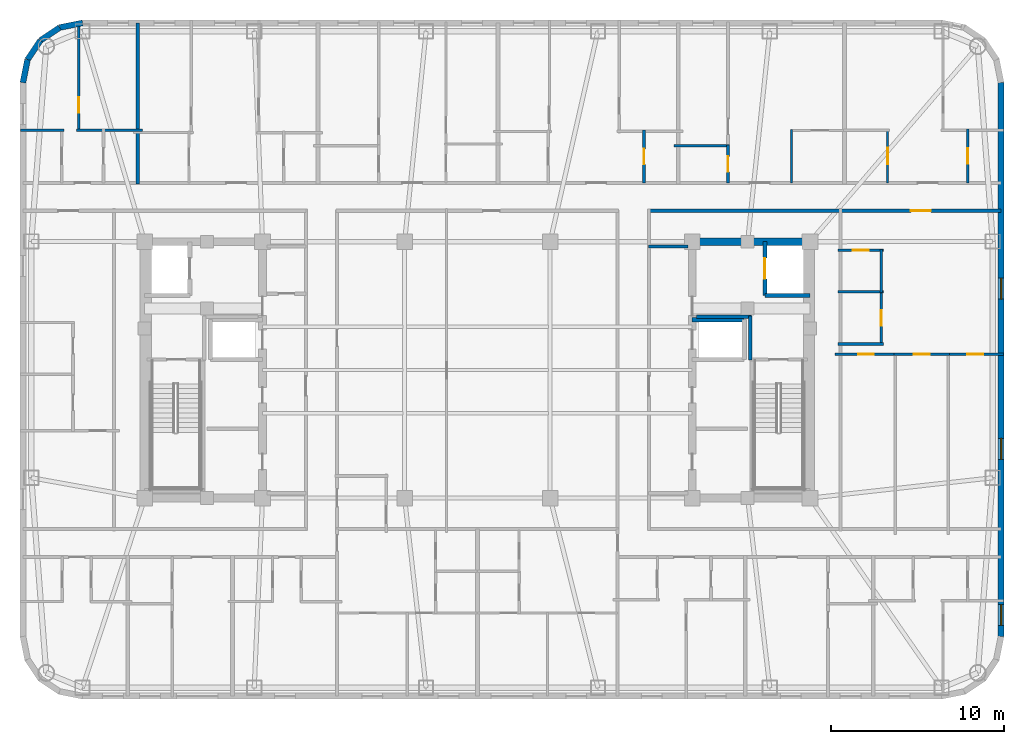
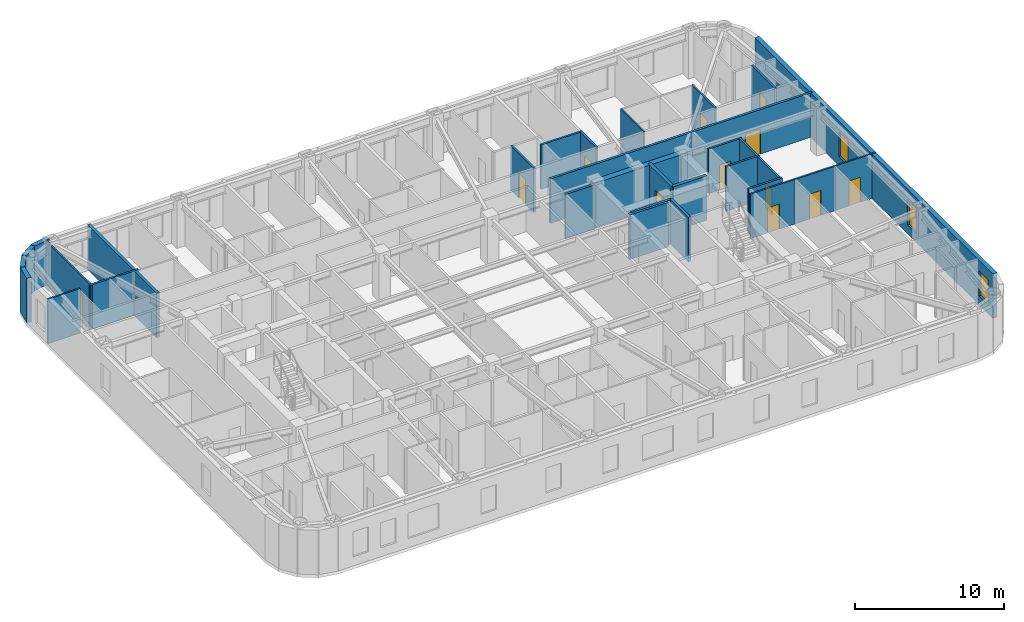
# One storey, part 7 of 11: 31 walls, 12 doors, 3 windows, 15 openings.
"""IFC4 building model written with IfcOpenShell, lengths in metres."""

from ifc_helpers import new_model, si_unit, direction, frame, frame_2d, origin, place, context, subcontext, project, spatial, rectangle, extrude, material, layer, layer_set, type_object, element, fill, save


model = new_model("IFC4")

# Units and contexts
model_context = context("Model", 3, precision=1e-05, world=origin(), true_north=direction((0.0, 1.0)))
body_context = subcontext(model_context, "Body", "Model", "MODEL_VIEW")
ifc_project = project(units=[si_unit("LENGTHUNIT", "METRE"), si_unit("AREAUNIT", "SQUARE_METRE"), si_unit("VOLUMEUNIT", "CUBIC_METRE"), si_unit("PLANEANGLEUNIT", "RADIAN"), si_unit("MASSUNIT", "GRAM", prefix="KILO")], contexts=[model_context])

# Site, building, storey
site_placement = place(None, origin())
site = spatial("IfcSite", under=ifc_project, at=site_placement, CompositionType="ELEMENT")
building_placement = place(site_placement, origin())
building = spatial("IfcBuilding", under=site, at=building_placement, Name="Voryun Gate Residences", CompositionType="ELEMENT")
storey_placement = place(building_placement, frame((0.0, 0.0, 215.800048828125)))
storey = spatial("IfcBuildingStorey", under=building, at=storey_placement, Name="L53", CompositionType="ELEMENT", Elevation=215.800048828125)

# Walls
ifc_material_1 = material(Name="Concrete C50/60", Category="concrete")
ifc_layer_1 = layer(ifc_material_1, 0.449951171875, Name="CW_CORE_450")
ifc_layer_set_1 = layer_set([ifc_layer_1], Name="Concrete C50/60")
wall_type_1 = type_object("IfcWallType", Name="CW_CORE_450", PredefinedType="SHEAR", material=ifc_layer_set_1)
wall_1_placement = place(storey_placement, frame((12.175048828125, 7.39990234375, 0.0), z_axis=(0.0, 0.0, 1.0), x_axis=(1.0, 0.0, 0.0)))
element("IfcWall", 1, at=wall_1_placement, inside=storey, type_object=wall_type_1, Name="L53 Core shear wall CW-L53-EN", PredefinedType="SHEAR", context=body_context, shape_type="SweptSolid", body=[
    extrude(rectangle(XDim=7.25, YDim=0.449951171875, at=frame_2d((3.625, 0.0))), origin(), (0.0, 0.0, 1.0), 3.64990234375),
])
ifc_material_2 = material(Name="Gypsum acoustic fireboard")
ifc_layer_2 = layer(ifc_material_2, 0.179931640625, Name="W_CORR_RATED_180")
ifc_layer_set_2 = layer_set([ifc_layer_2], Name="Gypsum acoustic fireboard")
wall_type_2 = type_object("IfcWallType", Name="W_CORR_RATED_180", PredefinedType="PARTITIONING", material=ifc_layer_set_2)
wall_2_placement = place(storey_placement, frame((9.8798828125, 7.1201171875, 0.0), z_axis=(0.0, 0.0, 1.0), x_axis=(1.0, 0.0, 0.0)))
element("IfcWall", 2, at=wall_2_placement, inside=storey, type_object=wall_type_2, Name="Partition wall WP-L53-PLBN-E", PredefinedType="PARTITIONING", context=body_context, shape_type="SweptSolid", body=[
    extrude(rectangle(XDim=2.27001953125, YDim=0.179931640625, at=frame_2d((1.135009765625, 0.0))), origin(), (0.0, 0.0, 1.0), 3.64990234375),
])

# Wall, opening, door
wall_3_placement = place(storey_placement, frame((9.8798828125, 9.18994140625, 0.0), z_axis=(0.0, 0.0, 1.0), x_axis=(1.0, 0.0, 0.0)))
wall_3 = element("IfcWall", 3, at=wall_3_placement, inside=storey, type_object=wall_type_2, Name="Partition wall WP-L53-CWING-EN", PredefinedType="PARTITIONING", context=body_context, shape_type="SweptSolid", body=[
    extrude(rectangle(XDim=20.35009765625, YDim=0.179931640625, at=frame_2d((10.175048828125, 0.0))), origin(), (0.0, 0.0, 1.0), 3.64990234375),
])
opening_1_placement = place(wall_3_placement, frame((15.1494140625, 0.0, 0.0)))
opening_1 = element("IfcOpeningElement", 4, at=opening_1_placement, cuts=wall_3, Name="Opening D-UNIT-1", PredefinedType="OPENING", context=body_context, shape_type="SweptSolid", body=[
    extrude(rectangle(XDim=1.14990234375, YDim=2.050048828125, at=frame_2d((0.574951171875, 1.02490234375))), frame((0.0, 0.099853515625, 0.0), z_axis=(0.0, -1.0, 0.0), x_axis=(1.0, 0.0, 0.0)), (0.0, 0.0, 1.0), 0.199951171875),
])
ifc_material_3 = material(Name="Armoured timber-clad fire door", Category="wood")
door_type_1 = type_object("IfcDoorType", Name="DR_UNIT_ENTRY_1150", OperationType="NOTDEFINED", PredefinedType="DOOR", material=ifc_material_3)
door_1_placement = place(opening_1_placement, origin())
door_1 = element("IfcDoor", 5, at=door_1_placement, inside=storey, type_object=door_type_1, Name="Door DR-L53-EE1N", OperationType="SINGLE_SWING_LEFT", OverallHeight=2.050048828125, OverallWidth=1.14990234375, PredefinedType="DOOR", context=body_context, shape_type="SweptSolid", body=[
    extrude(rectangle(XDim=1.14990234375, YDim=2.050048828125, at=frame_2d((0.574951171875, 1.02490234375))), frame((0.0, 0.02490234375, 0.0), z_axis=(0.0, -1.0, 0.0), x_axis=(1.0, 0.0, 0.0)), (0.0, 0.0, 1.0), 0.050048828125),
])
fill(opening_1, door_1)

# Walls
ifc_material_4 = material(Name="Charcoal terracotta masonry", Category="masonry")
ifc_layer_3 = layer(ifc_material_4, 0.340087890625, Name="W_EXT_TERRACOTTA_340")
ifc_layer_set_3 = layer_set([ifc_layer_3], Name="Charcoal terracotta masonry")
wall_type_3 = type_object("IfcWallType", Name="W_EXT_TERRACOTTA_340", PredefinedType="ELEMENTEDWALL", material=ifc_layer_set_3)
wall_4_placement = place(storey_placement, frame((-26.22998046875, 16.583251953125, 0.0), z_axis=(0.0, 0.0, 1.0), x_axis=(0.195075878998, 0.980788153188, 0.0)))
element("IfcWall", 6, at=wall_4_placement, inside=storey, type_object=wall_type_3, Name="Exterior wall WEXT-L53-07", PredefinedType="ELEMENTEDWALL", context=body_context, shape_type="SweptSolid", body=[
    extrude(rectangle(XDim=1.354248046875, YDim=0.340087890625, at=frame_2d((0.67724609375, 0.0))), origin(), (0.0, 0.0, 1.0), 3.64990234375),
])
for number, where, z_axis, x_axis, name in (
    (7, (-25.9658203125, 17.911376953125, 0.0), (0.0, 0.0, 1.0), (0.555669034571, 0.831403586725, 0.0), "Exterior wall WEXT-L53-08"),
    (8, (-25.222900390625, 19.02294921875, 0.0), (0.0, 0.0, 1.0), (0.831403586725, 0.555669034571, 0.0), "Exterior wall WEXT-L53-09"),
):
    element("IfcWall", number, at=place(storey_placement, frame(where, z_axis=z_axis, x_axis=x_axis)), inside=storey, type_object=wall_type_3, Name=name, PredefinedType="ELEMENTEDWALL", context=body_context, shape_type="SweptSolid", body=[
        extrude(rectangle(XDim=1.3369140625, YDim=0.340087890625, at=frame_2d((0.66845703125, 0.0))), origin(), (0.0, 0.0, 1.0), 3.64990234375),
    ])
wall_5_placement = place(storey_placement, frame((-24.111328125, 19.765869140625, 0.0), z_axis=(0.0, 0.0, 1.0), x_axis=(0.980788153188, 0.195075878998, 0.0)))
element("IfcWall", 9, at=wall_5_placement, inside=storey, type_object=wall_type_3, Name="Exterior wall WEXT-L53-10", PredefinedType="ELEMENTEDWALL", context=body_context, shape_type="SweptSolid", body=[
    extrude(rectangle(XDim=1.354248046875, YDim=0.340087890625, at=frame_2d((0.67724609375, 0.0))), origin(), (0.0, 0.0, 1.0), 3.64990234375),
])

# Wall, openings, windows
wall_6_placement = place(storey_placement, frame((30.22998046875, 16.583251953125, 0.0), z_axis=(0.0, 0.0, 1.0), x_axis=(0.0, -1.0, 0.0)))
wall_6 = element("IfcWall", 10, at=wall_6_placement, inside=storey, type_object=wall_type_3, Name="Exterior wall WEXT-L53-16", PredefinedType="ELEMENTEDWALL", context=body_context, shape_type="SweptSolid", body=[
    extrude(rectangle(XDim=31.966552734375, YDim=0.340087890625, at=frame_2d((15.9833984375, 0.0))), origin(), (0.0, 0.0, 1.0), 3.64990234375),
])
opening_2_placement = place(wall_6_placement, frame((30.13232421875, 0.0, 0.75)))
opening_2 = element("IfcOpeningElement", 11, at=opening_2_placement, cuts=wall_6, Name="Opening WN6", PredefinedType="OPENING", context=body_context, shape_type="SweptSolid", body=[
    extrude(rectangle(XDim=1.199951171875, YDim=2.050048828125, at=frame_2d((0.60009765625, 1.02490234375))), frame((0.0, 0.179931640625, 0.0), z_axis=(0.0, -1.0, 0.0), x_axis=(1.0, 0.0, 0.0)), (0.0, 0.0, 1.0), 0.360107421875),
])
opening_3_placement = place(wall_6_placement, frame((11.288330078125, 0.0, 0.75)))
opening_3 = element("IfcOpeningElement", 12, at=opening_3_placement, cuts=wall_6, Name="Opening WN6", PredefinedType="OPENING", context=body_context, shape_type="SweptSolid", body=[
    extrude(rectangle(XDim=1.199951171875, YDim=2.050048828125, at=frame_2d((0.60009765625, 1.02490234375))), frame((0.0, 0.179931640625, 0.0), z_axis=(0.0, -1.0, 0.0), x_axis=(1.0, 0.0, 0.0)), (0.0, 0.0, 1.0), 0.360107421875),
])
opening_4_placement = place(wall_6_placement, frame((20.538330078125, 0.0, 0.75)))
opening_4 = element("IfcOpeningElement", 13, at=opening_4_placement, cuts=wall_6, Name="Opening WN6", PredefinedType="OPENING", context=body_context, shape_type="SweptSolid", body=[
    extrude(rectangle(XDim=1.199951171875, YDim=2.050048828125, at=frame_2d((0.60009765625, 1.02490234375))), frame((0.0, 0.179931640625, 0.0), z_axis=(0.0, -1.0, 0.0), x_axis=(1.0, 0.0, 0.0)), (0.0, 0.0, 1.0), 0.360107421875),
])
ifc_material_5 = material(Name="Laminated low-E glass", Category="glass")
window_type = type_object("IfcWindowType", Name="WN_POD_SLOT_1200", PartitioningType="SINGLE_PANEL", PredefinedType="WINDOW", material=ifc_material_5)
window_1_placement = place(opening_2_placement, origin())
window_1 = element("IfcWindow", 14, at=window_1_placement, inside=storey, type_object=window_type, Name="Window WN-L53-DWFIX-23", OverallHeight=2.050048828125, OverallWidth=1.199951171875, PartitioningType="SINGLE_PANEL", PredefinedType="WINDOW", context=body_context, shape_type="SweptSolid", body=[
    extrude(rectangle(XDim=1.199951171875, YDim=2.050048828125, at=frame_2d((0.60009765625, 1.02490234375))), frame((0.0, 0.030029296875, 0.0), z_axis=(0.0, -1.0, 0.0), x_axis=(1.0, 0.0, 0.0)), (0.0, 0.0, 1.0), 0.06005859375),
])
fill(opening_2, window_1)
window_2_placement = place(opening_3_placement, origin())
window_2 = element("IfcWindow", 15, at=window_2_placement, inside=storey, type_object=window_type, Name="Window WN-L53-DWFIX-29", OverallHeight=2.050048828125, OverallWidth=1.199951171875, PartitioningType="SINGLE_PANEL", PredefinedType="WINDOW", context=body_context, shape_type="SweptSolid", body=[
    extrude(rectangle(XDim=1.199951171875, YDim=2.050048828125, at=frame_2d((0.60009765625, 1.02490234375))), frame((0.0, 0.030029296875, 0.0), z_axis=(0.0, -1.0, 0.0), x_axis=(1.0, 0.0, 0.0)), (0.0, 0.0, 1.0), 0.06005859375),
])
fill(opening_3, window_2)
window_3_placement = place(opening_4_placement, origin())
window_3 = element("IfcWindow", 16, at=window_3_placement, inside=storey, type_object=window_type, Name="Window WN-L53-DWFIX-30", OverallHeight=2.050048828125, OverallWidth=1.199951171875, PartitioningType="SINGLE_PANEL", PredefinedType="WINDOW", context=body_context, shape_type="SweptSolid", body=[
    extrude(rectangle(XDim=1.199951171875, YDim=2.050048828125, at=frame_2d((0.60009765625, 1.02490234375))), frame((0.0, 0.030029296875, 0.0), z_axis=(0.0, -1.0, 0.0), x_axis=(1.0, 0.0, 0.0)), (0.0, 0.0, 1.0), 0.06005859375),
])
fill(opening_4, window_3)

# Walls
ifc_material_6 = material(Name="Concrete C40/50", Category="concrete")
ifc_layer_4 = layer(ifc_material_6, 0.199951171875, Name="W_FF_LOBBY_200")
ifc_layer_set_4 = layer_set([ifc_layer_4], Name="Concrete C40/50")
wall_type_4 = type_object("IfcWallType", Name="W_FF_LOBBY_200", PredefinedType="PARTITIONING", material=ifc_layer_set_4)
wall_7_placement = place(storey_placement, frame((15.760009765625, 0.580078125, 0.0), z_axis=(0.0, 0.0, 1.0), x_axis=(0.0, 1.0, 0.0)))
element("IfcWall", 17, at=wall_7_placement, inside=storey, type_object=wall_type_4, Name="Partition wall WP-L53-FFP0-E", PredefinedType="PARTITIONING", context=body_context, shape_type="SweptSolid", body=[
    extrude(rectangle(XDim=2.52001953125, YDim=0.199951171875, at=frame_2d((1.260009765625, 0.0))), origin(), (0.0, 0.0, 1.0), 3.64990234375),
])
wall_8_placement = place(storey_placement, frame((12.659912109375, 3.06005859375, 0.0), z_axis=(0.0, 0.0, 1.0), x_axis=(1.0, 0.0, 0.0)))
element("IfcWall", 18, at=wall_8_placement, inside=storey, type_object=wall_type_4, Name="Partition wall WP-L53-FFPS-E", PredefinedType="PARTITIONING", context=body_context, shape_type="SweptSolid", body=[
    extrude(rectangle(XDim=3.16015625, YDim=0.199951171875, at=frame_2d((1.580078125, 0.0))), origin(), (0.0, 0.0, 1.0), 3.64990234375),
])
ifc_material_7 = material(Name="Concrete C40/50", Category="concrete")
ifc_layer_5 = layer(ifc_material_7, 0.219970703125, Name="W_PARTY_ACOUSTIC_220")
ifc_layer_set_5 = layer_set([ifc_layer_5], Name="Concrete C40/50")
wall_type_5 = type_object("IfcWallType", Name="W_PARTY_ACOUSTIC_220", PredefinedType="PARTITIONING", material=ifc_layer_set_5)
wall_9_placement = place(storey_placement, frame((-19.60009765625, 10.719970703125, 0.0), z_axis=(0.0, 0.0, 1.0), x_axis=(0.0, 1.0, 0.0)))
element("IfcWall", 19, at=wall_9_placement, inside=storey, type_object=wall_type_5, Name="Partition wall WP-L53-NPTY-1", PredefinedType="PARTITIONING", context=body_context, shape_type="SweptSolid", body=[
    extrude(rectangle(XDim=9.31005859375, YDim=0.219970703125, at=frame_2d((4.655029296875, 0.0))), origin(), (0.0, 0.0, 1.0), 3.64990234375),
])
ifc_material_8 = material(Name="Concrete C50/60", Category="concrete")
ifc_layer_6 = layer(ifc_material_8, 0.25, Name="W_SHAFT_RC250")
ifc_layer_set_6 = layer_set([ifc_layer_6], Name="Concrete C50/60")
wall_type_6 = type_object("IfcWallType", Name="W_SHAFT_RC250", PredefinedType="SOLIDWALL", material=ifc_layer_set_6)
wall_10_placement = place(storey_placement, frame((16.60009765625, 4.300048828125, 0.0), z_axis=(0.0, 0.0, 1.0), x_axis=(1.0, 0.0, 0.0)))
element("IfcWall", 20, at=wall_10_placement, inside=storey, type_object=wall_type_6, Name="Lift shaft wall WSH-L53-EL-FF-E1-S", PredefinedType="SOLIDWALL", context=body_context, shape_type="SweptSolid", body=[
    extrude(rectangle(XDim=2.599853515625, YDim=0.25, at=frame_2d((1.2998046875, 0.0))), origin(), (0.0, 0.0, 1.0), 3.64990234375),
])

# Wall, opening, door
wall_11_placement = place(storey_placement, frame((16.60009765625, 7.39990234375, 0.0), z_axis=(0.0, 0.0, 1.0), x_axis=(0.0, -1.0, 0.0)))
wall_11 = element("IfcWall", 21, at=wall_11_placement, inside=storey, type_object=wall_type_6, Name="Lift shaft wall WSH-L53-EL-FF-E1-W", PredefinedType="SOLIDWALL", context=body_context, shape_type="SweptSolid", body=[
    extrude(rectangle(XDim=3.099853515625, YDim=0.25, at=frame_2d((1.5498046875, 0.0))), origin(), (0.0, 0.0, 1.0), 3.64990234375),
])
opening_5_placement = place(wall_11_placement, frame((0.949951171875, 0.0, 0.0)))
opening_5 = element("IfcOpeningElement", 22, at=opening_5_placement, cuts=wall_11, Name="Opening LD1", PredefinedType="OPENING", context=body_context, shape_type="SweptSolid", body=[
    extrude(rectangle(XDim=1.199951171875, YDim=2.050048828125, at=frame_2d((0.60009765625, 1.02490234375))), frame((0.0, 0.135009765625, 0.0), z_axis=(0.0, -1.0, 0.0), x_axis=(1.0, 0.0, 0.0)), (0.0, 0.0, 1.0), 0.27001953125),
])
ifc_material_9 = material(Name="Anodised aluminium", Category="aluminium")
door_type_2 = type_object("IfcDoorType", Name="DR_LD_FF_1200", OperationType="NOTDEFINED", PredefinedType="DOOR", material=ifc_material_9)
door_2_placement = place(opening_5_placement, origin())
door_2 = element("IfcDoor", 23, at=door_2_placement, inside=storey, type_object=door_type_2, Name="Lift EL-FF-E1 sliding landing door L53", OperationType="SLIDING_TO_LEFT", OverallHeight=2.050048828125, OverallWidth=1.199951171875, PredefinedType="DOOR", context=body_context, shape_type="SweptSolid", body=[
    extrude(rectangle(XDim=1.199951171875, YDim=2.050048828125, at=frame_2d((0.60009765625, 1.02490234375))), frame((0.0, 0.02490234375, 0.0), z_axis=(0.0, -1.0, 0.0), x_axis=(1.0, 0.0, 0.0)), (0.0, 0.0, 1.0), 0.050048828125),
])
fill(opening_5, door_2)

# Wall
wall_12_placement = place(storey_placement, frame((15.39990234375, 2.89990234375, 0.0), z_axis=(0.0, 0.0, 1.0), x_axis=(-1.0, 0.0, 0.0)))
element("IfcWall", 24, at=wall_12_placement, inside=storey, type_object=wall_type_6, Name="Lift shaft wall WSH-L53-EL-P8-N", PredefinedType="SOLIDWALL", context=body_context, shape_type="SweptSolid", body=[
    extrude(rectangle(XDim=3.0, YDim=0.25, at=frame_2d((1.5, 0.0))), origin(), (0.0, 0.0, 1.0), 3.64990234375),
])

# Wall, opening, door
ifc_material_10 = material(Name="Gypsum acoustic partition")
ifc_layer_7 = layer(ifc_material_10, 0.125, Name="W_UNIT_PART_125")
ifc_layer_set_7 = layer_set([ifc_layer_7], Name="Gypsum acoustic partition")
wall_type_7 = type_object("IfcWallType", Name="W_UNIT_PART_125", PredefinedType="PARTITIONING", material=ifc_layer_set_7)
wall_13_placement = place(storey_placement, frame((-23.010009765625, 13.759033203125, 0.0), z_axis=(0.0, 0.0, 1.0), x_axis=(0.0, 1.0, 0.0)))
wall_13 = element("IfcWall", 25, at=wall_13_placement, inside=storey, type_object=wall_type_7, Name="Partition wall WP-L53-N1-OVR", PredefinedType="PARTITIONING", context=body_context, shape_type="SweptSolid", body=[
    extrude(rectangle(XDim=6.378662109375, YDim=0.125, at=frame_2d((3.189453125, 0.0))), origin(), (0.0, 0.0, 1.0), 3.64990234375),
])
opening_6_placement = place(wall_13_placement, frame((1.080810546875, 0.0, 0.0)))
opening_6 = element("IfcOpeningElement", 26, at=opening_6_placement, cuts=wall_13, Name="Opening D-INT-2", PredefinedType="OPENING", context=body_context, shape_type="SweptSolid", body=[
    extrude(rectangle(XDim=0.89990234375, YDim=2.050048828125, at=frame_2d((0.449951171875, 1.02490234375))), frame((0.0, 0.072509765625, 0.0), z_axis=(0.0, -1.0, 0.0), x_axis=(1.0, 0.0, 0.0)), (0.0, 0.0, 1.0), 0.14501953125),
])
ifc_material_11 = material(Name="Architectural oak veneer")
door_type_3 = type_object("IfcDoorType", Name="DR_INT_BATH_900", OperationType="NOTDEFINED", PredefinedType="DOOR", material=ifc_material_11)
door_3_placement = place(opening_6_placement, origin())
door_3 = element("IfcDoor", 27, at=door_3_placement, inside=storey, type_object=door_type_3, Name="Door DR-L53-N1-DMB", OperationType="SINGLE_SWING_RIGHT", OverallHeight=2.050048828125, OverallWidth=0.89990234375, PredefinedType="DOOR", context=body_context, shape_type="SweptSolid", body=[
    extrude(rectangle(XDim=0.89990234375, YDim=2.050048828125, at=frame_2d((0.449951171875, 1.02490234375))), frame((0.0, 0.02490234375, 0.0), z_axis=(0.0, -1.0, 0.0), x_axis=(1.0, 0.0, 0.0)), (0.0, 0.0, 1.0), 0.050048828125),
])
fill(opening_6, door_3)

# Walls
wall_14_placement = place(storey_placement, frame((-26.3798828125, 13.839111328125, 0.0), z_axis=(0.0, 0.0, 1.0), x_axis=(1.0, 0.0, 0.0)))
element("IfcWall", 28, at=wall_14_placement, inside=storey, type_object=wall_type_7, Name="Partition wall WP-L53-N1-HZK", PredefinedType="PARTITIONING", context=body_context, shape_type="SweptSolid", body=[
    extrude(rectangle(XDim=2.512939453125, YDim=0.125, at=frame_2d((1.25634765625, 0.0))), origin(), (0.0, 0.0, 1.0), 3.64990234375),
])
wall_15_placement = place(storey_placement, frame((18.136962890625, 10.780029296875, 0.0), z_axis=(0.0, 0.0, 1.0), x_axis=(0.0, 1.0, 0.0)))
element("IfcWall", 29, at=wall_15_placement, inside=storey, type_object=wall_type_7, Name="Partition wall WP-L53-N5-KVX", PredefinedType="PARTITIONING", context=body_context, shape_type="SweptSolid", body=[
    extrude(rectangle(XDim=3.099853515625, YDim=0.125, at=frame_2d((1.5498046875, 0.0))), origin(), (0.0, 0.0, 1.0), 3.64990234375),
])

# Wall, opening, door
wall_16_placement = place(storey_placement, frame((23.68408203125, 10.780029296875, 0.0), z_axis=(0.0, 0.0, 1.0), x_axis=(0.0, 1.0, 0.0)))
wall_16 = element("IfcWall", 30, at=wall_16_placement, inside=storey, type_object=wall_type_7, Name="Partition wall WP-L53-N6-IVK", PredefinedType="PARTITIONING", context=body_context, shape_type="SweptSolid", body=[
    extrude(rectangle(XDim=3.138916015625, YDim=0.125, at=frame_2d((1.5693359375, 0.0))), origin(), (0.0, 0.0, 1.0), 3.64990234375),
])
opening_7_placement = place(wall_16_placement, frame((1.094482421875, 0.0, 0.0)))
opening_7 = element("IfcOpeningElement", 31, at=opening_7_placement, cuts=wall_16, Name="Opening D-INT-1", PredefinedType="OPENING", context=body_context, shape_type="SweptSolid", body=[
    extrude(rectangle(XDim=0.949951171875, YDim=2.050048828125, at=frame_2d((0.47509765625, 1.02490234375))), frame((0.0, 0.072509765625, 0.0), z_axis=(0.0, -1.0, 0.0), x_axis=(1.0, 0.0, 0.0)), (0.0, 0.0, 1.0), 0.14501953125),
])
ifc_material_12 = material(Name="Architectural oak veneer")
door_type_4 = type_object("IfcDoorType", Name="DR_INT_ROOM_950", OperationType="NOTDEFINED", PredefinedType="DOOR", material=ifc_material_12)
door_4_placement = place(opening_7_placement, origin())
door_4 = element("IfcDoor", 32, at=door_4_placement, inside=storey, type_object=door_type_4, Name="Door DR-L53-N6-DK", OperationType="SINGLE_SWING_LEFT", OverallHeight=2.050048828125, OverallWidth=0.949951171875, PredefinedType="DOOR", context=body_context, shape_type="SweptSolid", body=[
    extrude(rectangle(XDim=0.949951171875, YDim=2.050048828125, at=frame_2d((0.47509765625, 1.02490234375))), frame((0.0, 0.02490234375, 0.0), z_axis=(0.0, -1.0, 0.0), x_axis=(1.0, 0.0, 0.0)), (0.0, 0.0, 1.0), 0.050048828125),
])
fill(opening_7, door_4)

wall_17_placement = place(storey_placement, frame((20.64990234375, 0.909912109375, 0.0), z_axis=(0.0, 0.0, 1.0), x_axis=(1.0, 0.0, 0.0)))
wall_17 = element("IfcWall", 33, at=wall_17_placement, inside=storey, type_object=wall_type_7, Name="Partition wall WP-L53-E1-HZMB1", PredefinedType="PARTITIONING", context=body_context, shape_type="SweptSolid", body=[
    extrude(rectangle(XDim=3.53369140625, YDim=0.125, at=frame_2d((1.766845703125, 0.0))), origin(), (0.0, 0.0, 1.0), 3.64990234375),
])
opening_8_placement = place(wall_17_placement, frame((1.325439453125, 0.0, 0.0)))
opening_8 = element("IfcOpeningElement", 34, at=opening_8_placement, cuts=wall_17, Name="Opening D-INT-2", PredefinedType="OPENING", context=body_context, shape_type="SweptSolid", body=[
    extrude(rectangle(XDim=0.89990234375, YDim=2.050048828125, at=frame_2d((0.449951171875, 1.02490234375))), frame((0.0, 0.072509765625, 0.0), z_axis=(0.0, -1.0, 0.0), x_axis=(1.0, 0.0, 0.0)), (0.0, 0.0, 1.0), 0.14501953125),
])
door_5_placement = place(opening_8_placement, origin())
door_5 = element("IfcDoor", 35, at=door_5_placement, inside=storey, type_object=door_type_3, Name="Door DR-L53-E1-DMB", OperationType="SINGLE_SWING_LEFT", OverallHeight=2.050048828125, OverallWidth=0.89990234375, PredefinedType="DOOR", context=body_context, shape_type="SweptSolid", body=[
    extrude(rectangle(XDim=0.89990234375, YDim=2.050048828125, at=frame_2d((0.449951171875, 1.02490234375))), frame((0.0, 0.02490234375, 0.0), z_axis=(0.0, -1.0, 0.0), x_axis=(1.0, 0.0, 0.0)), (0.0, 0.0, 1.0), 0.050048828125),
])
fill(opening_8, door_5)

wall_18_placement = place(storey_placement, frame((24.05859375, 0.909912109375, 0.0), z_axis=(0.0, 0.0, 1.0), x_axis=(1.0, 0.0, 0.0)))
wall_18 = element("IfcWall", 36, at=wall_18_placement, inside=storey, type_object=wall_type_7, Name="Partition wall WP-L53-E1-HZMB2", PredefinedType="PARTITIONING", context=body_context, shape_type="SweptSolid", body=[
    extrude(rectangle(XDim=3.182861328125, YDim=0.125, at=frame_2d((1.59130859375, 0.0))), origin(), (0.0, 0.0, 1.0), 3.64990234375),
])
opening_9_placement = place(wall_18_placement, frame((1.1416015625, 0.0, 0.0)))
opening_9 = element("IfcOpeningElement", 37, at=opening_9_placement, cuts=wall_18, Name="Opening D-INT-2", PredefinedType="OPENING", context=body_context, shape_type="SweptSolid", body=[
    extrude(rectangle(XDim=0.89990234375, YDim=2.050048828125, at=frame_2d((0.449951171875, 1.02490234375))), frame((0.0, 0.072509765625, 0.0), z_axis=(0.0, -1.0, 0.0), x_axis=(1.0, 0.0, 0.0)), (0.0, 0.0, 1.0), 0.14501953125),
])
door_6_placement = place(opening_9_placement, origin())
door_6 = element("IfcDoor", 38, at=door_6_placement, inside=storey, type_object=door_type_3, Name="Door DR-L53-E1-DBD2", OperationType="SINGLE_SWING_RIGHT", OverallHeight=2.050048828125, OverallWidth=0.89990234375, PredefinedType="DOOR", context=body_context, shape_type="SweptSolid", body=[
    extrude(rectangle(XDim=0.89990234375, YDim=2.050048828125, at=frame_2d((0.449951171875, 1.02490234375))), frame((0.0, 0.02490234375, 0.0), z_axis=(0.0, -1.0, 0.0), x_axis=(1.0, 0.0, 0.0)), (0.0, 0.0, 1.0), 0.050048828125),
])
fill(opening_9, door_6)

wall_19_placement = place(storey_placement, frame((27.116455078125, 0.909912109375, 0.0), z_axis=(0.0, 0.0, 1.0), x_axis=(1.0, 0.0, 0.0)))
wall_19 = element("IfcWall", 39, at=wall_19_placement, inside=storey, type_object=wall_type_7, Name="Partition wall WP-L53-E1-HZMB3", PredefinedType="PARTITIONING", context=body_context, shape_type="SweptSolid", body=[
    extrude(rectangle(XDim=3.263427734375, YDim=0.125, at=frame_2d((1.6318359375, 0.0))), origin(), (0.0, 0.0, 1.0), 3.64990234375),
])
opening_10_placement = place(wall_19_placement, frame((1.173095703125, 0.0, 0.0)))
opening_10 = element("IfcOpeningElement", 40, at=opening_10_placement, cuts=wall_19, Name="Opening D-INT-2", PredefinedType="OPENING", context=body_context, shape_type="SweptSolid", body=[
    extrude(rectangle(XDim=0.89990234375, YDim=2.050048828125, at=frame_2d((0.449951171875, 1.02490234375))), frame((0.0, 0.072509765625, 0.0), z_axis=(0.0, -1.0, 0.0), x_axis=(1.0, 0.0, 0.0)), (0.0, 0.0, 1.0), 0.14501953125),
])
door_7_placement = place(opening_10_placement, origin())
door_7 = element("IfcDoor", 41, at=door_7_placement, inside=storey, type_object=door_type_3, Name="Door DR-L53-E1-DBD3", OperationType="SINGLE_SWING_LEFT", OverallHeight=2.050048828125, OverallWidth=0.89990234375, PredefinedType="DOOR", context=body_context, shape_type="SweptSolid", body=[
    extrude(rectangle(XDim=0.89990234375, YDim=2.050048828125, at=frame_2d((0.449951171875, 1.02490234375))), frame((0.0, 0.02490234375, 0.0), z_axis=(0.0, -1.0, 0.0), x_axis=(1.0, 0.0, 0.0)), (0.0, 0.0, 1.0), 0.050048828125),
])
fill(opening_10, door_7)

# Wall
ifc_material_13 = material(Name="Gypsum moisture-resistant partition")
ifc_layer_8 = layer(ifc_material_13, 0.14990234375, Name="W_WET_PLUMB_150")
ifc_layer_set_8 = layer_set([ifc_layer_8], Name="Gypsum moisture-resistant partition")
wall_type_8 = type_object("IfcWallType", Name="W_WET_PLUMB_150", PredefinedType="PLUMBINGWALL", material=ifc_layer_set_8)
wall_20_placement = place(storey_placement, frame((-23.1298828125, 13.839111328125, 0.0), z_axis=(0.0, 0.0, 1.0), x_axis=(1.0, 0.0, 0.0)))
element("IfcWall", 42, at=wall_20_placement, inside=storey, type_object=wall_type_8, Name="Partition wall WP-L53-N1-HZB", PredefinedType="PLUMBINGWALL", context=body_context, shape_type="SweptSolid", body=[
    extrude(rectangle(XDim=3.789794921875, YDim=0.14990234375, at=frame_2d((1.89501953125, 0.0))), origin(), (0.0, 0.0, 1.0), 3.64990234375),
])

# Wall, opening, door
wall_21_placement = place(storey_placement, frame((9.6201171875, 10.780029296875, 0.0), z_axis=(0.0, 0.0, 1.0), x_axis=(0.0, 1.0, 0.0)))
wall_21 = element("IfcWall", 43, at=wall_21_placement, inside=storey, type_object=wall_type_8, Name="Partition wall WP-L53-N4-IVB", PredefinedType="PLUMBINGWALL", context=body_context, shape_type="SweptSolid", body=[
    extrude(rectangle(XDim=3.069091796875, YDim=0.14990234375, at=frame_2d((1.53466796875, 0.0))), origin(), (0.0, 0.0, 1.0), 3.64990234375),
])
opening_11_placement = place(wall_21_placement, frame((1.08447265625, 0.0, 0.0)))
opening_11 = element("IfcOpeningElement", 44, at=opening_11_placement, cuts=wall_21, Name="Opening D-INT-2", PredefinedType="OPENING", context=body_context, shape_type="SweptSolid", body=[
    extrude(rectangle(XDim=0.89990234375, YDim=2.050048828125, at=frame_2d((0.449951171875, 1.02490234375))), frame((0.0, 0.0849609375, 0.0), z_axis=(0.0, -1.0, 0.0), x_axis=(1.0, 0.0, 0.0)), (0.0, 0.0, 1.0), 0.169921875),
])
door_8_placement = place(opening_11_placement, origin())
door_8 = element("IfcDoor", 45, at=door_8_placement, inside=storey, type_object=door_type_3, Name="Door DR-L53-N4-DB", OperationType="SINGLE_SWING_RIGHT", OverallHeight=2.050048828125, OverallWidth=0.89990234375, PredefinedType="DOOR", context=body_context, shape_type="SweptSolid", body=[
    extrude(rectangle(XDim=0.89990234375, YDim=2.050048828125, at=frame_2d((0.449951171875, 1.02490234375))), frame((0.0, 0.02490234375, 0.0), z_axis=(0.0, -1.0, 0.0), x_axis=(1.0, 0.0, 0.0)), (0.0, 0.0, 1.0), 0.050048828125),
])
fill(opening_11, door_8)

# Wall
wall_22_placement = place(storey_placement, frame((11.340087890625, 12.93994140625, 0.0), z_axis=(0.0, 0.0, 1.0), x_axis=(1.0, 0.0, 0.0)))
element("IfcWall", 46, at=wall_22_placement, inside=storey, type_object=wall_type_8, Name="Partition wall WP-L53-N5-LHY", PredefinedType="PLUMBINGWALL", context=body_context, shape_type="SweptSolid", body=[
    extrude(rectangle(XDim=3.205810546875, YDim=0.14990234375, at=frame_2d((1.60302734375, 0.0))), origin(), (0.0, 0.0, 1.0), 3.64990234375),
])

# Wall, opening, door
wall_23_placement = place(storey_placement, frame((14.466064453125, 10.780029296875, 0.0), z_axis=(0.0, 0.0, 1.0), x_axis=(0.0, 1.0, 0.0)))
wall_23 = element("IfcWall", 47, at=wall_23_placement, inside=storey, type_object=wall_type_8, Name="Partition wall WP-L53-N5-LVX1", PredefinedType="PLUMBINGWALL", context=body_context, shape_type="SweptSolid", body=[
    extrude(rectangle(XDim=2.199951171875, YDim=0.14990234375, at=frame_2d((1.10009765625, 0.0))), origin(), (0.0, 0.0, 1.0), 3.64990234375),
])
opening_12_placement = place(wall_23_placement, frame((0.64990234375, 0.0, 0.0)))
opening_12 = element("IfcOpeningElement", 48, at=opening_12_placement, cuts=wall_23, Name="Opening D-INT-2", PredefinedType="OPENING", context=body_context, shape_type="SweptSolid", body=[
    extrude(rectangle(XDim=0.89990234375, YDim=2.050048828125, at=frame_2d((0.449951171875, 1.02490234375))), frame((0.0, 0.0849609375, 0.0), z_axis=(0.0, -1.0, 0.0), x_axis=(1.0, 0.0, 0.0)), (0.0, 0.0, 1.0), 0.169921875),
])
door_9_placement = place(opening_12_placement, origin())
door_9 = element("IfcDoor", 49, at=door_9_placement, inside=storey, type_object=door_type_3, Name="Door DR-L53-N5-DB", OperationType="SINGLE_SWING_LEFT", OverallHeight=2.050048828125, OverallWidth=0.89990234375, PredefinedType="DOOR", context=body_context, shape_type="SweptSolid", body=[
    extrude(rectangle(XDim=0.89990234375, YDim=2.050048828125, at=frame_2d((0.449951171875, 1.02490234375))), frame((0.0, 0.02490234375, 0.0), z_axis=(0.0, -1.0, 0.0), x_axis=(1.0, 0.0, 0.0)), (0.0, 0.0, 1.0), 0.050048828125),
])
fill(opening_12, door_9)

wall_24_placement = place(storey_placement, frame((28.31689453125, 10.780029296875, 0.0), z_axis=(0.0, 0.0, 1.0), x_axis=(0.0, 1.0, 0.0)))
wall_24 = element("IfcWall", 50, at=wall_24_placement, inside=storey, type_object=wall_type_8, Name="Partition wall WP-L53-N6-IVB", PredefinedType="PLUMBINGWALL", context=body_context, shape_type="SweptSolid", body=[
    extrude(rectangle(XDim=3.138916015625, YDim=0.14990234375, at=frame_2d((1.5693359375, 0.0))), origin(), (0.0, 0.0, 1.0), 3.64990234375),
])
opening_13_placement = place(wall_24_placement, frame((1.119384765625, 0.0, 0.0)))
opening_13 = element("IfcOpeningElement", 51, at=opening_13_placement, cuts=wall_24, Name="Opening D-INT-2", PredefinedType="OPENING", context=body_context, shape_type="SweptSolid", body=[
    extrude(rectangle(XDim=0.89990234375, YDim=2.050048828125, at=frame_2d((0.449951171875, 1.02490234375))), frame((0.0, 0.0849609375, 0.0), z_axis=(0.0, -1.0, 0.0), x_axis=(1.0, 0.0, 0.0)), (0.0, 0.0, 1.0), 0.169921875),
])
door_10_placement = place(opening_13_placement, origin())
door_10 = element("IfcDoor", 52, at=door_10_placement, inside=storey, type_object=door_type_3, Name="Door DR-L53-N6-DB", OperationType="SINGLE_SWING_RIGHT", OverallHeight=2.050048828125, OverallWidth=0.89990234375, PredefinedType="DOOR", context=body_context, shape_type="SweptSolid", body=[
    extrude(rectangle(XDim=0.89990234375, YDim=2.050048828125, at=frame_2d((0.449951171875, 1.02490234375))), frame((0.0, 0.02490234375, 0.0), z_axis=(0.0, -1.0, 0.0), x_axis=(1.0, 0.0, 0.0)), (0.0, 0.0, 1.0), 0.050048828125),
])
fill(opening_13, door_10)

wall_25_placement = place(storey_placement, frame((20.820068359375, 6.89990234375, 0.0), z_axis=(0.0, 0.0, 1.0), x_axis=(1.0, 0.0, 0.0)))
wall_25 = element("IfcWall", 53, at=wall_25_placement, inside=storey, type_object=wall_type_8, Name="Partition wall WP-L53-E1-IBT", PredefinedType="PLUMBINGWALL", context=body_context, shape_type="SweptSolid", body=[
    extrude(rectangle(XDim=2.619873046875, YDim=0.14990234375, at=frame_2d((1.31005859375, 0.0))), origin(), (0.0, 0.0, 1.0), 3.64990234375),
])
opening_14_placement = place(wall_25_placement, frame((0.860107421875, 0.0, 0.0)))
opening_14 = element("IfcOpeningElement", 54, at=opening_14_placement, cuts=wall_25, Name="Opening D-INT-2", PredefinedType="OPENING", context=body_context, shape_type="SweptSolid", body=[
    extrude(rectangle(XDim=0.89990234375, YDim=2.050048828125, at=frame_2d((0.449951171875, 1.02490234375))), frame((0.0, 0.0849609375, 0.0), z_axis=(0.0, -1.0, 0.0), x_axis=(1.0, 0.0, 0.0)), (0.0, 0.0, 1.0), 0.169921875),
])
door_11_placement = place(opening_14_placement, origin())
door_11 = element("IfcDoor", 55, at=door_11_placement, inside=storey, type_object=door_type_3, Name="Door DR-L53-E1-DK", OperationType="SINGLE_SWING_LEFT", OverallHeight=2.050048828125, OverallWidth=0.89990234375, PredefinedType="DOOR", context=body_context, shape_type="SweptSolid", body=[
    extrude(rectangle(XDim=0.89990234375, YDim=2.050048828125, at=frame_2d((0.449951171875, 1.02490234375))), frame((0.0, 0.02490234375, 0.0), z_axis=(0.0, -1.0, 0.0), x_axis=(1.0, 0.0, 0.0)), (0.0, 0.0, 1.0), 0.050048828125),
])
fill(opening_14, door_11)

# Walls
for number, where, z_axis, x_axis, name in (
    (56, (20.820068359375, 4.52001953125, 0.0), (0.0, 0.0, 1.0), (1.0, 0.0, 0.0), "Partition wall WP-L53-E1-IKB"),
    (57, (20.820068359375, 1.5, 0.0), (0.0, 0.0, 1.0), (1.0, 0.0, 0.0), "Partition wall WP-L53-E1-IBB"),
):
    element("IfcWall", number, at=place(storey_placement, frame(where, z_axis=z_axis, x_axis=x_axis)), inside=storey, type_object=wall_type_8, Name=name, PredefinedType="PLUMBINGWALL", context=body_context, shape_type="SweptSolid", body=[
        extrude(rectangle(XDim=2.619873046875, YDim=0.14990234375, at=frame_2d((1.31005859375, 0.0))), origin(), (0.0, 0.0, 1.0), 3.64990234375),
    ])

# Wall, opening, door
wall_26_placement = place(storey_placement, frame((23.320068359375, 1.43994140625, 0.0), z_axis=(0.0, 0.0, 1.0), x_axis=(0.0, 1.0, 0.0)))
wall_26 = element("IfcWall", 58, at=wall_26_placement, inside=storey, type_object=wall_type_8, Name="Partition wall WP-L53-E1-VTSK1", PredefinedType="PLUMBINGWALL", context=body_context, shape_type="SweptSolid", body=[
    extrude(rectangle(XDim=3.1201171875, YDim=0.14990234375, at=frame_2d((1.56005859375, 0.0))), origin(), (0.0, 0.0, 1.0), 3.64990234375),
])
opening_15_placement = place(wall_26_placement, frame((1.110107421875, 0.0, 0.0)))
opening_15 = element("IfcOpeningElement", 59, at=opening_15_placement, cuts=wall_26, Name="Opening D-INT-2", PredefinedType="OPENING", context=body_context, shape_type="SweptSolid", body=[
    extrude(rectangle(XDim=0.89990234375, YDim=2.050048828125, at=frame_2d((0.449951171875, 1.02490234375))), frame((0.0, 0.0849609375, 0.0), z_axis=(0.0, -1.0, 0.0), x_axis=(1.0, 0.0, 0.0)), (0.0, 0.0, 1.0), 0.169921875),
])
door_12_placement = place(opening_15_placement, origin())
door_12 = element("IfcDoor", 60, at=door_12_placement, inside=storey, type_object=door_type_3, Name="Door DR-L53-E1-DB", OperationType="SINGLE_SWING_RIGHT", OverallHeight=2.050048828125, OverallWidth=0.89990234375, PredefinedType="DOOR", context=body_context, shape_type="SweptSolid", body=[
    extrude(rectangle(XDim=0.89990234375, YDim=2.050048828125, at=frame_2d((0.449951171875, 1.02490234375))), frame((0.0, 0.02490234375, 0.0), z_axis=(0.0, -1.0, 0.0), x_axis=(1.0, 0.0, 0.0)), (0.0, 0.0, 1.0), 0.050048828125),
])
fill(opening_15, door_12)

# Wall
wall_27_placement = place(storey_placement, frame((23.320068359375, 4.47998046875, 0.0), z_axis=(0.0, 0.0, 1.0), x_axis=(0.0, 1.0, 0.0)))
element("IfcWall", 61, at=wall_27_placement, inside=storey, type_object=wall_type_8, Name="Partition wall WP-L53-E1-VTSK2", PredefinedType="PLUMBINGWALL", context=body_context, shape_type="SweptSolid", body=[
    extrude(rectangle(XDim=2.47998046875, YDim=0.14990234375, at=frame_2d((1.239990234375, 0.0))), origin(), (0.0, 0.0, 1.0), 3.64990234375),
])

save(model, "model.ifc")
